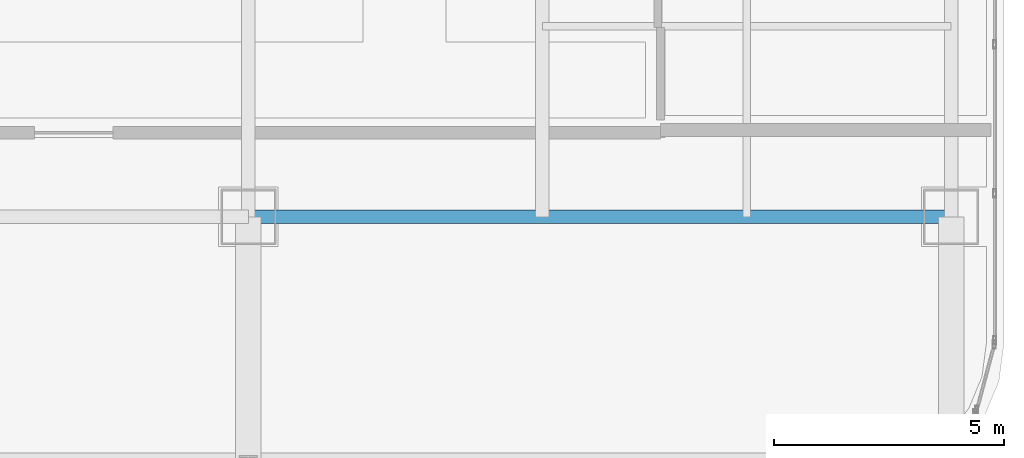
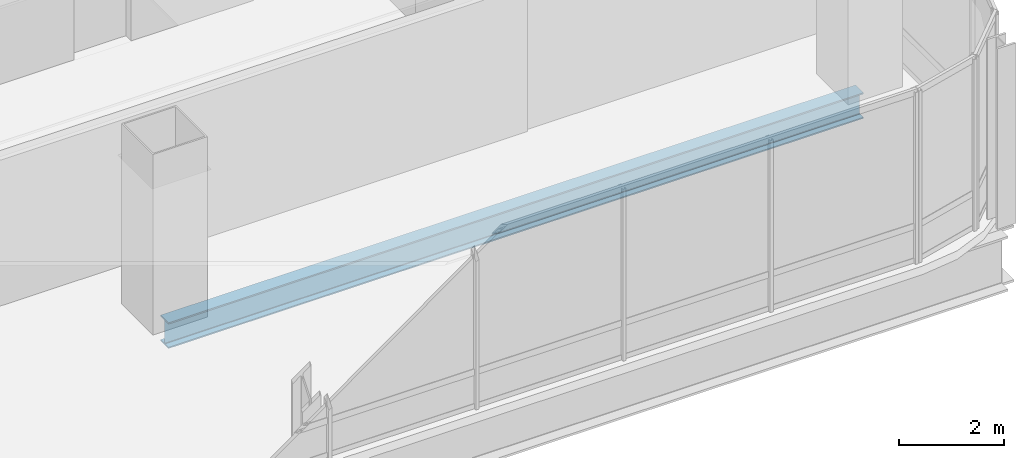
# One storey, part 17 of 42: 1 beam.
"""IFC4 building model written with IfcOpenShell, lengths in metres."""

from ifc_helpers import new_model, si_unit, direction, frame, origin, origin_2d, place, context, subcontext, project, spatial, i_section, extrude, material, material_profile, profile_set, type_object, element, save


model = new_model("IFC4")

# Units and contexts
model_context = context("Model", 3, precision=1e-05, world=origin(), true_north=direction((0.0, 1.0)))
body_context = subcontext(model_context, "Body", "Model", "MODEL_VIEW")
ifc_project = project(units=[si_unit("LENGTHUNIT", "METRE"), si_unit("AREAUNIT", "SQUARE_METRE"), si_unit("VOLUMEUNIT", "CUBIC_METRE"), si_unit("PLANEANGLEUNIT", "RADIAN"), si_unit("MASSUNIT", "GRAM", prefix="KILO")], contexts=[model_context])

# Site, building, storey
site_placement = place(None, origin())
site = spatial("IfcSite", under=ifc_project, at=site_placement, CompositionType="ELEMENT")
building_placement = place(site_placement, origin())
building = spatial("IfcBuilding", under=site, at=building_placement, Name="Punatoya Terracotta Tower", CompositionType="ELEMENT")
storey_placement = place(building_placement, frame((0.0, 0.0, 325.800048828125)))
storey = spatial("IfcBuildingStorey", under=building, at=storey_placement, Name="L77", CompositionType="ELEMENT", Elevation=325.800048828125)

# Beam
ifc_material = material(Name="Steel S355", Category="steel")
ifc_material_profile = material_profile(ifc_material, i_section(OverallWidth=0.300048828125, OverallDepth=0.60009765625, WebThickness=0.015380859375, FlangeThickness=0.030029296875, FilletRadius=0.01806640625, at=origin_2d()))
ifc_profile_set = profile_set([ifc_material_profile], Name="Steel S355")
beam_type = type_object("IfcBeamType", Name="BM-PRI-600", PredefinedType="BEAM", material=ifc_profile_set)
beam_placement = place(storey_placement, frame((3.800048828125, -17.5, -0.5), z_axis=(1.0, 0.0, 0.0), x_axis=(0.0, 1.0, 0.0)))
element("IfcBeam", 1, at=beam_placement, inside=storey, type_object=beam_type, Name="BM-L77-RG-S3", PredefinedType="BEAM", context=body_context, shape_type="SweptSolid", body=[
    extrude(i_section(OverallWidth=0.300048828125, OverallDepth=0.60009765625, WebThickness=0.015380859375, FlangeThickness=0.030029296875, FilletRadius=0.01806640625, at=origin_2d()), origin(), (0.0, 0.0, 1.0), 15.300048828125),
])

save(model, "model.ifc")
